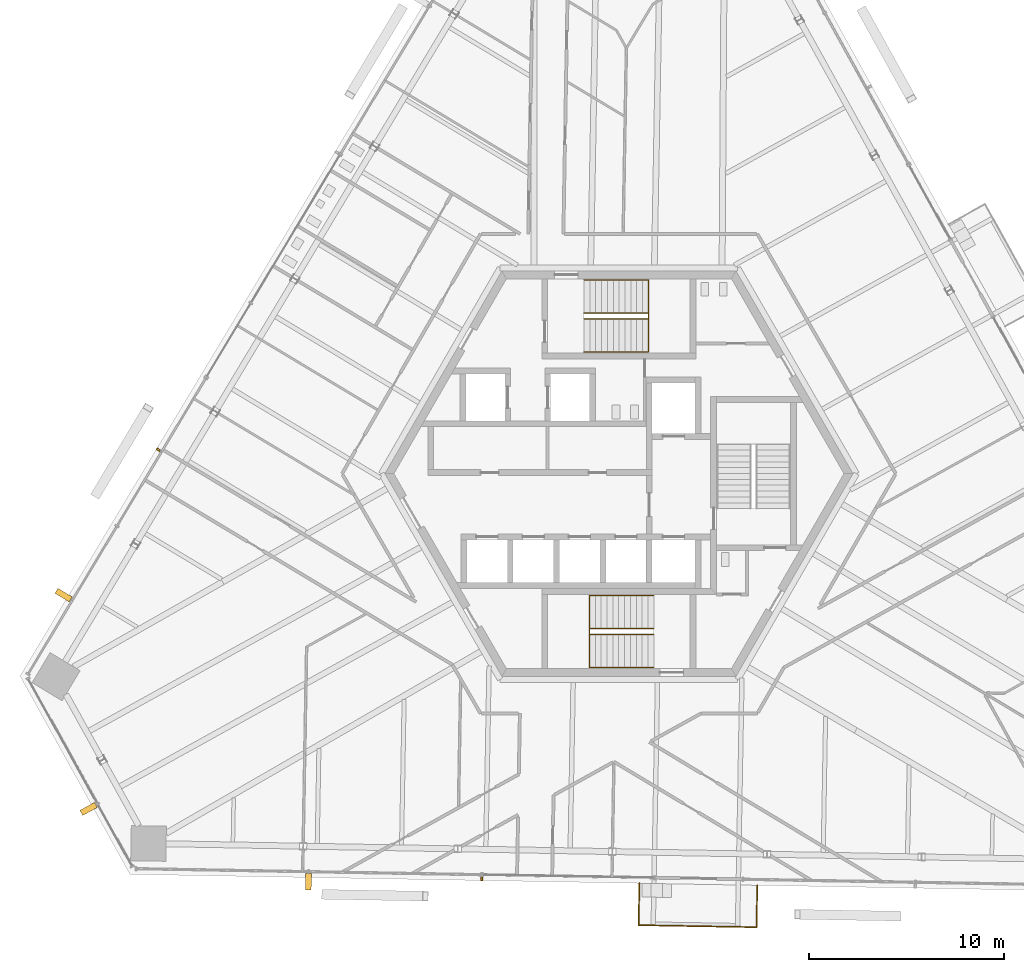
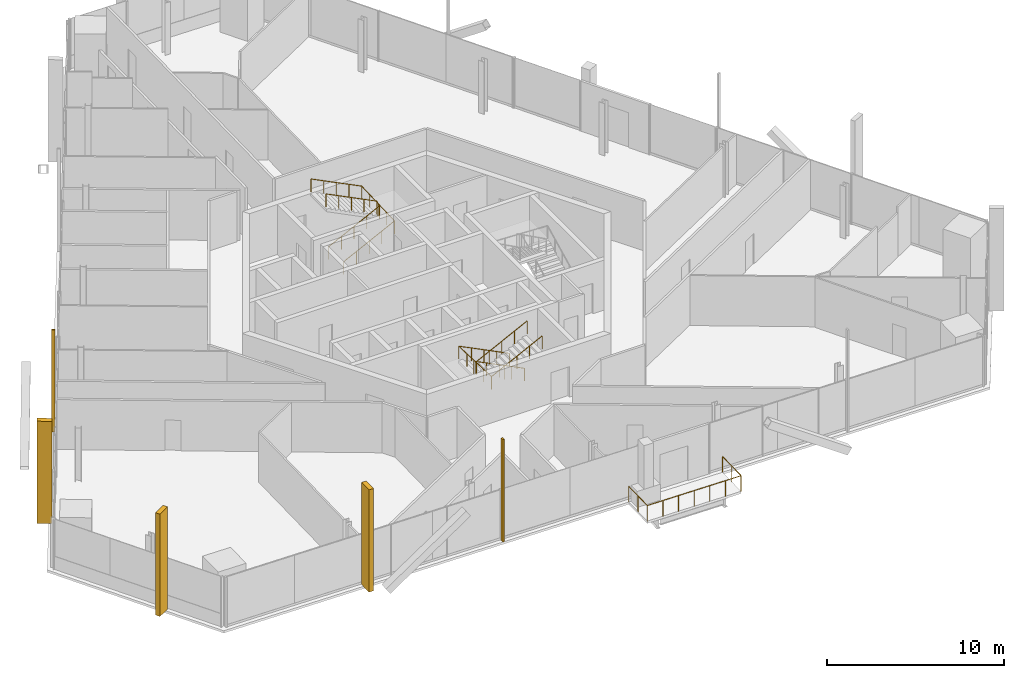
# One storey, part 16 of 21: 5 railings, 5 shading devices.
"""IFC4 building model written with IfcOpenShell, lengths in metres."""

from ifc_helpers import new_model, si_unit, direction, frame, origin, origin_2d, place, context, subcontext, project, spatial, rectangle, circle, extrude, source, transform, mapped, material, type_object, element, save


model = new_model("IFC4")

# Units and contexts
model_context = context("Model", 3, precision=1e-05, world=origin(), true_north=direction((0.0, 1.0)))
body_context = subcontext(model_context, "Body", "Model", "MODEL_VIEW")
ifc_project = project(units=[si_unit("LENGTHUNIT", "METRE"), si_unit("AREAUNIT", "SQUARE_METRE"), si_unit("VOLUMEUNIT", "CUBIC_METRE"), si_unit("PLANEANGLEUNIT", "RADIAN"), si_unit("MASSUNIT", "GRAM", prefix="KILO")], contexts=[model_context])

# Site, building, storey
site_placement = place(None, origin())
site = spatial("IfcSite", under=ifc_project, at=site_placement, CompositionType="ELEMENT")
building_placement = place(site_placement, origin())
building = spatial("IfcBuilding", under=site, at=building_placement, Name="Triune Harvest Tower", CompositionType="ELEMENT")
storey_placement = place(building_placement, frame((0.0, 0.0, 187.10009765625)))
storey = spatial("IfcBuildingStorey", under=building, at=storey_placement, Name="L48", CompositionType="ELEMENT", Elevation=187.10009765625)

# Railings
ifc_material_1 = material(Name="Glass", Category="glass")
railing_type_1 = type_object("IfcRailingType", Name="GD-2 balcony guard 1100", PredefinedType="GUARDRAIL", material=ifc_material_1)
railing_1_placement = place(storey_placement, frame((1.045654296875, -20.99853515625, 0.0)))
element("IfcRailing", 1, at=railing_1_placement, inside=storey, type_object=railing_type_1, Name="Balcony guard B5-F5 L48.7", PredefinedType="GUARDRAIL", context=body_context, shape_type="SweptSolid", body=[
    extrude(circle(Radius=0.02392578125, at=origin_2d()), frame((0.0, 0.0, 1.076171875), z_axis=(-0.017391639309, -0.999848754003, 0.0), x_axis=(0.999848754003, -0.017391639309, 0.0)), (0.0, 0.0, 1.0), 2.147705078125),
    extrude(circle(Radius=0.02392578125, at=origin_2d()), frame((-0.037353515625, -2.1474609375, 1.076171875), z_axis=(0.999847257742, -0.017477447927, 0.0), x_axis=(0.017477447927, 0.999847257742, 0.0)), (0.0, 0.0, 1.0), 6.048583984375),
    extrude(circle(Radius=0.02392578125, at=origin_2d()), frame((6.01025390625, -2.253173828125, 1.076171875), z_axis=(0.01750328613, 0.999846805753, 0.0), x_axis=(-0.999846805753, 0.01750328613, 0.0)), (0.0, 0.0, 1.0), 2.14794921875),
    extrude(circle(Radius=0.02099609375, at=origin_2d()), origin(), (0.0, 0.0, 1.0), 1.052001953125),
    extrude(circle(Radius=0.02099609375, at=origin_2d()), frame((-0.0185546875, -1.07373046875, 0.0)), (0.0, 0.0, 1.0), 1.052001953125),
    extrude(circle(Radius=0.02099609375, at=origin_2d()), frame((-0.037353515625, -2.1474609375, 0.0)), (0.0, 0.0, 1.0), 1.052001953125),
    extrude(circle(Radius=0.02099609375, at=origin_2d()), frame((0.970703125, -2.1650390625, 0.0)), (0.0, 0.0, 1.0), 1.052001953125),
    extrude(circle(Radius=0.02099609375, at=origin_2d()), frame((1.978515625, -2.1826171875, 0.0)), (0.0, 0.0, 1.0), 1.052001953125),
    extrude(circle(Radius=0.02099609375, at=origin_2d()), frame((2.986328125, -2.2001953125, 0.0)), (0.0, 0.0, 1.0), 1.052001953125),
    extrude(circle(Radius=0.02099609375, at=origin_2d()), frame((3.994384765625, -2.218017578125, 0.0)), (0.0, 0.0, 1.0), 1.052001953125),
    extrude(circle(Radius=0.02099609375, at=origin_2d()), frame((5.00244140625, -2.235595703125, 0.0)), (0.0, 0.0, 1.0), 1.052001953125),
    extrude(circle(Radius=0.02099609375, at=origin_2d()), frame((6.01025390625, -2.253173828125, 0.0)), (0.0, 0.0, 1.0), 1.052001953125),
    extrude(circle(Radius=0.02099609375, at=origin_2d()), frame((6.029052734375, -1.17919921875, 0.0)), (0.0, 0.0, 1.0), 1.052001953125),
    extrude(circle(Radius=0.02099609375, at=origin_2d()), frame((6.0478515625, -0.10546875, 0.0)), (0.0, 0.0, 1.0), 1.052001953125),
])
ifc_material_2 = material(Name="Stainless steel AISI 316", Category="steel")
railing_type_2 = type_object("IfcRailingType", Name="Stair handrail", PredefinedType="HANDRAIL", material=ifc_material_2)
shared_shape_1 = source(origin(), body_context, "Body", "SweptSolid", [
    extrude(circle(Radius=0.02392578125, at=origin_2d()), frame((0.0, 0.0, 0.8759765625), z_axis=(0.894440424912, 0.0, 0.447187126696), x_axis=(0.0, 1.0, 0.0)), (0.0, 0.0, 1.0), 3.689453125),
    extrude(circle(Radius=0.02392578125, at=origin_2d()), frame((3.300048828125, 0.0, 2.52587890625), z_axis=(0.0, 0.999177620331, 0.040547293732), x_axis=(-1.0, 0.0, 0.0)), (0.0, 0.0, 1.0), 3.702880859375),
    extrude(circle(Radius=0.02392578125, at=origin_2d()), frame((3.300048828125, 3.699951171875, 2.67578125), z_axis=(-0.894440424912, 0.0, 0.447187126696), x_axis=(0.0, -1.0, 0.0)), (0.0, 0.0, 1.0), 3.689453125),
    extrude(circle(Radius=0.02099609375, at=origin_2d()), origin(), (0.0, 0.0, 1.0), 0.851806640625),
    extrude(circle(Radius=0.02099609375, at=origin_2d()), frame((0.824951171875, 0.0, 0.41259765625)), (0.0, 0.0, 1.0), 0.851806640625),
    extrude(circle(Radius=0.02099609375, at=origin_2d()), frame((1.64990234375, 0.0, 0.824951171875)), (0.0, 0.0, 1.0), 0.851806640625),
    extrude(circle(Radius=0.02099609375, at=origin_2d()), frame((2.47509765625, 0.0, 1.2373046875)), (0.0, 0.0, 1.0), 0.851806640625),
    extrude(circle(Radius=0.02099609375, at=origin_2d()), frame((3.300048828125, 0.0, 1.64990234375)), (0.0, 0.0, 1.0), 0.851806640625),
    extrude(circle(Radius=0.02099609375, at=origin_2d()), frame((3.300048828125, 0.925048828125, 1.6875)), (0.0, 0.0, 1.0), 0.851806640625),
    extrude(circle(Radius=0.02099609375, at=origin_2d()), frame((3.300048828125, 1.85009765625, 1.72509765625)), (0.0, 0.0, 1.0), 0.851806640625),
    extrude(circle(Radius=0.02099609375, at=origin_2d()), frame((3.300048828125, 2.77490234375, 1.762451171875)), (0.0, 0.0, 1.0), 0.851806640625),
    extrude(circle(Radius=0.02099609375, at=origin_2d()), frame((3.300048828125, 3.699951171875, 1.800048828125)), (0.0, 0.0, 1.0), 0.851806640625),
    extrude(circle(Radius=0.02099609375, at=origin_2d()), frame((2.47509765625, 3.699951171875, 2.21240234375)), (0.0, 0.0, 1.0), 0.851806640625),
    extrude(circle(Radius=0.02099609375, at=origin_2d()), frame((1.64990234375, 3.699951171875, 2.625)), (0.0, 0.0, 1.0), 0.851806640625),
    extrude(circle(Radius=0.02099609375, at=origin_2d()), frame((0.824951171875, 3.699951171875, 3.03759765625)), (0.0, 0.0, 1.0), 0.851806640625),
    extrude(circle(Radius=0.02099609375, at=origin_2d()), frame((0.0, 3.699951171875, 3.449951171875)), (0.0, 0.0, 1.0), 0.851806640625),
])
railing_2_placement = place(storey_placement, frame((-1.7900390625, 6.239990234375, 0.14990234375)))
element("IfcRailing", 2, at=railing_2_placement, inside=storey, type_object=railing_type_2, Name="Exit stair north wall handrail", PredefinedType="HANDRAIL", context=body_context, shape_type="MappedRepresentation", body=[
    mapped(shared_shape_1, transform((0.0, 0.0, 0.0), scale=1.0)),
])
shared_shape_2 = source(origin(), body_context, "Body", "SweptSolid", [
    extrude(circle(Radius=0.02392578125, at=origin_2d()), frame((0.0, 0.0, 0.8759765625), z_axis=(0.894440424912, 0.0, 0.447187126696), x_axis=(0.0, 1.0, 0.0)), (0.0, 0.0, 1.0), 3.689453125),
    extrude(circle(Radius=0.02392578125, at=origin_2d()), frame((3.300048828125, 0.0, 2.52587890625), z_axis=(0.0, 0.894281613681, 0.447504631744), x_axis=(-1.0, 0.0, 0.0)), (0.0, 0.0, 1.0), 0.33544921875),
    extrude(circle(Radius=0.02392578125, at=origin_2d()), frame((3.300048828125, 0.300048828125, 2.67578125), z_axis=(-0.894440424912, 0.0, 0.447187126696), x_axis=(0.0, -1.0, 0.0)), (0.0, 0.0, 1.0), 3.689453125),
    extrude(circle(Radius=0.02099609375, at=origin_2d()), origin(), (0.0, 0.0, 1.0), 0.851806640625),
    extrude(circle(Radius=0.02099609375, at=origin_2d()), frame((0.824951171875, 0.0, 0.41259765625)), (0.0, 0.0, 1.0), 0.851806640625),
    extrude(circle(Radius=0.02099609375, at=origin_2d()), frame((1.64990234375, 0.0, 0.824951171875)), (0.0, 0.0, 1.0), 0.851806640625),
    extrude(circle(Radius=0.02099609375, at=origin_2d()), frame((2.47509765625, 0.0, 1.2373046875)), (0.0, 0.0, 1.0), 0.851806640625),
    extrude(circle(Radius=0.02099609375, at=origin_2d()), frame((3.300048828125, 0.0, 1.64990234375)), (0.0, 0.0, 1.0), 0.851806640625),
    extrude(circle(Radius=0.02099609375, at=origin_2d()), frame((3.300048828125, 0.300048828125, 1.800048828125)), (0.0, 0.0, 1.0), 0.851806640625),
    extrude(circle(Radius=0.02099609375, at=origin_2d()), frame((2.47509765625, 0.300048828125, 2.21240234375)), (0.0, 0.0, 1.0), 0.851806640625),
    extrude(circle(Radius=0.02099609375, at=origin_2d()), frame((1.64990234375, 0.300048828125, 2.625)), (0.0, 0.0, 1.0), 0.851806640625),
    extrude(circle(Radius=0.02099609375, at=origin_2d()), frame((0.824951171875, 0.300048828125, 3.03759765625)), (0.0, 0.0, 1.0), 0.851806640625),
    extrude(circle(Radius=0.02099609375, at=origin_2d()), frame((0.0, 0.300048828125, 3.449951171875)), (0.0, 0.0, 1.0), 0.851806640625),
])
railing_3_placement = place(storey_placement, frame((-1.7900390625, 7.93994140625, 0.14990234375)))
element("IfcRailing", 3, at=railing_3_placement, inside=storey, type_object=railing_type_2, Name="Exit stair north centre handrail", PredefinedType="HANDRAIL", context=body_context, shape_type="MappedRepresentation", body=[
    mapped(shared_shape_2, transform((0.0, 0.0, 0.0), scale=1.0)),
])
shared_shape_3 = source(origin(), body_context, "Body", "SweptSolid", [
    extrude(circle(Radius=0.02392578125, at=origin_2d()), frame((0.0, 0.0, 0.8759765625), z_axis=(-0.894440424912, 0.0, 0.447187126696), x_axis=(0.0, -1.0, 0.0)), (0.0, 0.0, 1.0), 3.689453125),
    extrude(circle(Radius=0.02392578125, at=origin_2d()), frame((-3.300048828125, 0.0, 2.52587890625), z_axis=(0.0, -0.999177620331, 0.040547293732), x_axis=(1.0, 0.0, 0.0)), (0.0, 0.0, 1.0), 3.702880859375),
    extrude(circle(Radius=0.02392578125, at=origin_2d()), frame((-3.300048828125, -3.699951171875, 2.67578125), z_axis=(0.894440424912, 0.0, 0.447187126696), x_axis=(0.0, 1.0, 0.0)), (0.0, 0.0, 1.0), 3.689453125),
    extrude(circle(Radius=0.02099609375, at=origin_2d()), origin(), (0.0, 0.0, 1.0), 0.851806640625),
    extrude(circle(Radius=0.02099609375, at=origin_2d()), frame((-0.824951171875, 0.0, 0.41259765625)), (0.0, 0.0, 1.0), 0.851806640625),
    extrude(circle(Radius=0.02099609375, at=origin_2d()), frame((-1.64990234375, 0.0, 0.824951171875)), (0.0, 0.0, 1.0), 0.851806640625),
    extrude(circle(Radius=0.02099609375, at=origin_2d()), frame((-2.47509765625, 0.0, 1.2373046875)), (0.0, 0.0, 1.0), 0.851806640625),
    extrude(circle(Radius=0.02099609375, at=origin_2d()), frame((-3.300048828125, 0.0, 1.64990234375)), (0.0, 0.0, 1.0), 0.851806640625),
    extrude(circle(Radius=0.02099609375, at=origin_2d()), frame((-3.300048828125, -0.925048828125, 1.6875)), (0.0, 0.0, 1.0), 0.851806640625),
    extrude(circle(Radius=0.02099609375, at=origin_2d()), frame((-3.300048828125, -1.85009765625, 1.72509765625)), (0.0, 0.0, 1.0), 0.851806640625),
    extrude(circle(Radius=0.02099609375, at=origin_2d()), frame((-3.300048828125, -2.77490234375, 1.762451171875)), (0.0, 0.0, 1.0), 0.851806640625),
    extrude(circle(Radius=0.02099609375, at=origin_2d()), frame((-3.300048828125, -3.699951171875, 1.800048828125)), (0.0, 0.0, 1.0), 0.851806640625),
    extrude(circle(Radius=0.02099609375, at=origin_2d()), frame((-2.47509765625, -3.699951171875, 2.21240234375)), (0.0, 0.0, 1.0), 0.851806640625),
    extrude(circle(Radius=0.02099609375, at=origin_2d()), frame((-1.64990234375, -3.699951171875, 2.625)), (0.0, 0.0, 1.0), 0.851806640625),
    extrude(circle(Radius=0.02099609375, at=origin_2d()), frame((-0.824951171875, -3.699951171875, 3.03759765625)), (0.0, 0.0, 1.0), 0.851806640625),
    extrude(circle(Radius=0.02099609375, at=origin_2d()), frame((0.0, -3.699951171875, 3.449951171875)), (0.0, 0.0, 1.0), 0.851806640625),
])
railing_4_placement = place(storey_placement, frame((1.7900390625, -6.239990234375, 0.14990234375)))
element("IfcRailing", 4, at=railing_4_placement, inside=storey, type_object=railing_type_2, Name="Exit stair south wall handrail", PredefinedType="HANDRAIL", context=body_context, shape_type="MappedRepresentation", body=[
    mapped(shared_shape_3, transform((0.0, 0.0, 0.0), scale=1.0)),
])
shared_shape_4 = source(origin(), body_context, "Body", "SweptSolid", [
    extrude(circle(Radius=0.02392578125, at=origin_2d()), frame((0.0, 0.0, 0.8759765625), z_axis=(-0.894440424912, 0.0, 0.447187126696), x_axis=(0.0, -1.0, 0.0)), (0.0, 0.0, 1.0), 3.689453125),
    extrude(circle(Radius=0.02392578125, at=origin_2d()), frame((-3.300048828125, 0.0, 2.52587890625), z_axis=(0.0, -0.894281613681, 0.447504631744), x_axis=(1.0, 0.0, 0.0)), (0.0, 0.0, 1.0), 0.33544921875),
    extrude(circle(Radius=0.02392578125, at=origin_2d()), frame((-3.300048828125, -0.300048828125, 2.67578125), z_axis=(0.894440424912, 0.0, 0.447187126696), x_axis=(0.0, 1.0, 0.0)), (0.0, 0.0, 1.0), 3.689453125),
    extrude(circle(Radius=0.02099609375, at=origin_2d()), origin(), (0.0, 0.0, 1.0), 0.851806640625),
    extrude(circle(Radius=0.02099609375, at=origin_2d()), frame((-0.824951171875, 0.0, 0.41259765625)), (0.0, 0.0, 1.0), 0.851806640625),
    extrude(circle(Radius=0.02099609375, at=origin_2d()), frame((-1.64990234375, 0.0, 0.824951171875)), (0.0, 0.0, 1.0), 0.851806640625),
    extrude(circle(Radius=0.02099609375, at=origin_2d()), frame((-2.47509765625, 0.0, 1.2373046875)), (0.0, 0.0, 1.0), 0.851806640625),
    extrude(circle(Radius=0.02099609375, at=origin_2d()), frame((-3.300048828125, 0.0, 1.64990234375)), (0.0, 0.0, 1.0), 0.851806640625),
    extrude(circle(Radius=0.02099609375, at=origin_2d()), frame((-3.300048828125, -0.300048828125, 1.800048828125)), (0.0, 0.0, 1.0), 0.851806640625),
    extrude(circle(Radius=0.02099609375, at=origin_2d()), frame((-2.47509765625, -0.300048828125, 2.21240234375)), (0.0, 0.0, 1.0), 0.851806640625),
    extrude(circle(Radius=0.02099609375, at=origin_2d()), frame((-1.64990234375, -0.300048828125, 2.625)), (0.0, 0.0, 1.0), 0.851806640625),
    extrude(circle(Radius=0.02099609375, at=origin_2d()), frame((-0.824951171875, -0.300048828125, 3.03759765625)), (0.0, 0.0, 1.0), 0.851806640625),
    extrude(circle(Radius=0.02099609375, at=origin_2d()), frame((0.0, -0.300048828125, 3.449951171875)), (0.0, 0.0, 1.0), 0.851806640625),
])
railing_5_placement = place(storey_placement, frame((1.7900390625, -7.93994140625, 0.14990234375)))
element("IfcRailing", 5, at=railing_5_placement, inside=storey, type_object=railing_type_2, Name="Exit stair south centre handrail", PredefinedType="HANDRAIL", context=body_context, shape_type="MappedRepresentation", body=[
    mapped(shared_shape_4, transform((0.0, 0.0, 0.0), scale=1.0)),
])

# Shading devices
ifc_material_3 = material(Name="Aluminium bronze anodised", Category="aluminium")
shared_shape_5 = source(origin(), body_context, "Body", "SweptSolid", [
    extrude(rectangle(XDim=0.10009765625, YDim=0.199951171875, at=origin_2d()), origin(), (0.0, 0.0, 1.0), 7.0400390625),
])
for number, where, z_axis, x_axis, name in (
    (6, (-23.617431640625, 1.228759765625, 0.0), (0.0, 0.0, 1.0), (-0.515036632219, -0.857168167557, 0.0), "FN-1 fin B5-F3.9 L48"),
    (7, (-7.024169921875, -20.757568359375, 0.0), (0.0, 0.0, 1.0), (0.999847708228, -0.017451657526, 0.0), "FN-1 fin B5-F5.5 L48"),
):
    element("IfcShadingDevice", number, at=place(storey_placement, frame(where, z_axis=z_axis, x_axis=x_axis)), inside=storey, material=ifc_material_3, Name=name, ObjectType="FIN", PredefinedType="USERDEFINED", context=body_context, shape_type="MappedRepresentation", body=[
        mapped(shared_shape_5, transform((0.0, 0.0, 0.0), scale=1.0)),
    ])
shared_shape_6 = source(origin(), body_context, "Body", "SweptSolid", [
    extrude(rectangle(XDim=0.300048828125, YDim=0.85009765625, at=origin_2d()), origin(), (0.0, 0.0, 1.0), 7.0400390625),
])
for number, where, z_axis, x_axis, name in (
    (8, (-28.47412109375, -6.222900390625, 0.0), (0.0, 0.0, 1.0), (-0.515036632219, -0.857168167557, 0.0), "FN-2 fin B5-F3.11 L48"),
    (9, (-27.187255859375, -17.185302734375, 0.0), (0.0, 0.0, 1.0), (0.484801950362, -0.874623958582, 0.0), "FN-2 fin B5-F4.3 L48"),
    (10, (-15.919921875, -20.927490234375, 0.0), (0.0, 0.0, 1.0), (0.999847708228, -0.017451657526, 0.0), "FN-2 fin B5-F5.3 L48"),
):
    element("IfcShadingDevice", number, at=place(storey_placement, frame(where, z_axis=z_axis, x_axis=x_axis)), inside=storey, material=ifc_material_3, Name=name, ObjectType="FIN", PredefinedType="USERDEFINED", context=body_context, shape_type="MappedRepresentation", body=[
        mapped(shared_shape_6, transform((0.0, 0.0, 0.0), scale=1.0)),
    ])

save(model, "model.ifc")
